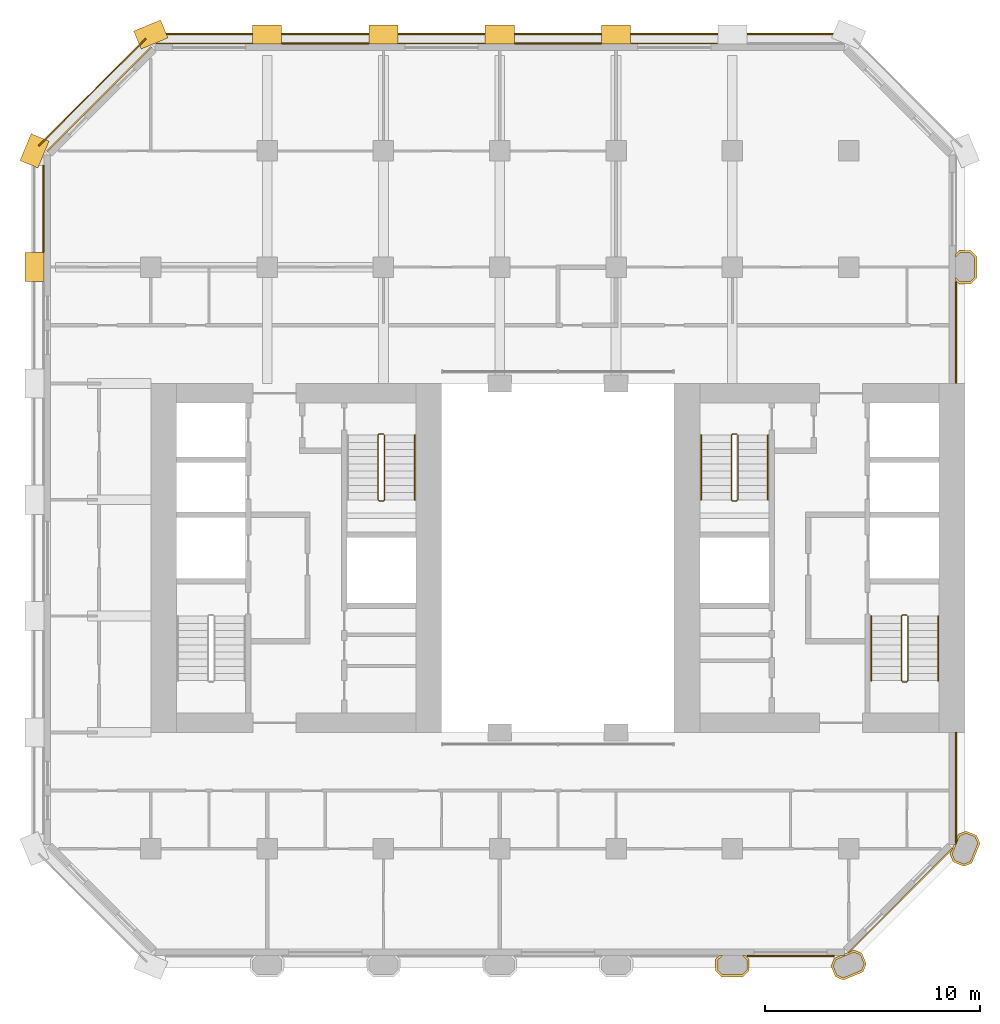
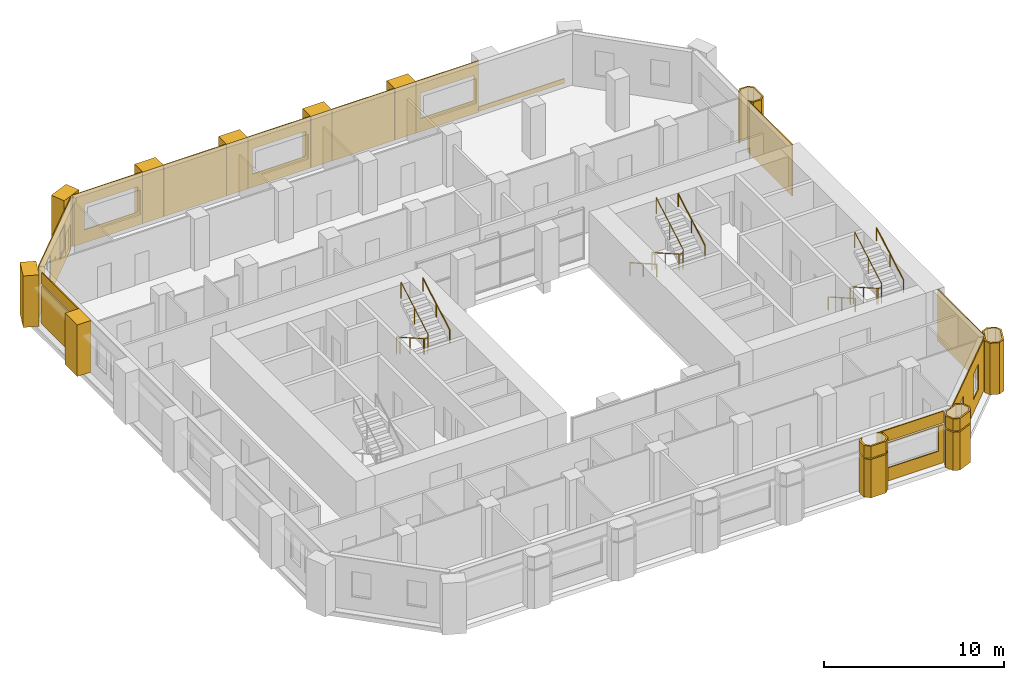
# One storey, part 12 of 13: 28 coverings, 8 railings.
"""IFC4 building model written with IfcOpenShell, lengths in metres."""

from ifc_helpers import new_model, si_unit, direction, frame, frame_2d, origin, origin_2d, place, context, subcontext, project, spatial, polyline, rectangle, circle, outline, extrude, material, layer, layer_set, type_object, element, save


model = new_model("IFC4")

# Units and contexts
model_context = context("Model", 3, precision=1e-05, world=origin(), true_north=direction((0.0, 1.0)))
body_context = subcontext(model_context, "Body", "Model", "MODEL_VIEW")
ifc_project = project(units=[si_unit("LENGTHUNIT", "METRE"), si_unit("AREAUNIT", "SQUARE_METRE"), si_unit("VOLUMEUNIT", "CUBIC_METRE"), si_unit("PLANEANGLEUNIT", "RADIAN"), si_unit("MASSUNIT", "GRAM", prefix="KILO")], contexts=[model_context])

# Site, building, storey
site_placement = place(None, origin())
site = spatial("IfcSite", under=ifc_project, at=site_placement, CompositionType="ELEMENT")
building_placement = place(site_placement, origin())
building = spatial("IfcBuilding", under=site, at=building_placement, Name="Tabaq Tower and Sports Hall", CompositionType="ELEMENT")
storey_placement = place(building_placement, frame((0.0, 0.0, 114.39990234375)))
storey = spatial("IfcBuildingStorey", under=building, at=storey_placement, Name="L27", CompositionType="ELEMENT", Elevation=114.39990234375)

# Coverings
ifc_material_1 = material(Name="Precast concrete C60/75", Category="concrete")
ifc_layer_1 = layer(ifc_material_1, 0.10009765625)
ifc_layer_set_1 = layer_set([ifc_layer_1], Name="Column cladding 100")
covering_type_1 = type_object("IfcCoveringType", Name="Column cladding 100", PredefinedType="CLADDING", material=ifc_layer_set_1)
covering_1_placement = place(storey_placement, origin())
element("IfcCovering", 1, at=covering_1_placement, inside=storey, type_object=covering_type_1, Name="Column cladding L27 PC-7B-O3", PredefinedType="CLADDING", context=body_context, shape_type="SweptSolid", body=[
    extrude(outline(polyline([(31.625244140625, 5.666259765625), (31.80859375, 5.849609375), (31.94921875, 5.849609375), (31.724609375, 5.625244140625), (31.724609375, 5.1748046875), (31.949951171875, 4.94970703125), (32.85009765625, 4.94970703125), (33.0751953125, 5.1748046875), (33.0751953125, 5.625244140625), (32.850830078125, 5.849609375), (32.9912109375, 5.849609375), (33.1748046875, 5.666259765625), (33.1748046875, 5.1337890625), (32.891357421875, 4.850341796875), (31.90869140625, 4.850341796875), (31.625244140625, 5.1337890625), (31.625244140625, 5.666259765625)])), origin(), (0.0, 0.0, 1.0), 2.60009765625),
])
covering_2_placement = place(storey_placement, frame((0.0, 0.0, 2.7001953125)))
element("IfcCovering", 2, at=covering_2_placement, inside=storey, type_object=covering_type_1, Name="Column cladding L27 PC-7B-O3 2", PredefinedType="CLADDING", context=body_context, shape_type="SweptSolid", body=[
    extrude(outline(polyline([(31.625244140625, 5.666259765625), (31.80859375, 5.849609375), (31.94921875, 5.849609375), (31.724609375, 5.625244140625), (31.724609375, 5.1748046875), (31.949951171875, 4.94970703125), (32.85009765625, 4.94970703125), (33.0751953125, 5.1748046875), (33.0751953125, 5.625244140625), (32.850830078125, 5.849609375), (32.9912109375, 5.849609375), (33.1748046875, 5.666259765625), (33.1748046875, 5.1337890625), (32.891357421875, 4.850341796875), (31.90869140625, 4.850341796875), (31.625244140625, 5.1337890625), (31.625244140625, 5.666259765625)])), origin(), (0.0, 0.0, 1.0), 0.7998046875),
])
covering_3_placement = place(storey_placement, origin())
element("IfcCovering", 3, at=covering_3_placement, inside=storey, type_object=covering_type_1, Name="Column cladding L27 PC-8B-O3", PredefinedType="CLADDING", context=body_context, shape_type="SweptSolid", body=[
    extrude(outline(polyline([(36.982421875, 5.349609375), (37.1357421875, 5.7197265625), (37.44921875, 5.849609375), (37.614013671875, 5.849609375), (37.614013671875, 5.91796875), (37.767578125, 5.9814453125), (37.799072265625, 5.9501953125), (37.875, 6.026123046875), (38.04345703125, 6.095947265625), (38.413818359375, 5.9423828125), (38.61767578125, 5.450439453125), (38.46435546875, 5.080078125), (37.556396484375, 4.7041015625), (37.186279296875, 4.857421875), (36.982421875, 5.349609375)]), holes=[polyline([(38.510009765625, 5.450439453125), (38.337646484375, 5.866455078125), (38.04345703125, 5.98828125), (37.2119140625, 5.643798828125), (37.08984375, 5.349609375), (37.26220703125, 4.93359375), (37.556396484375, 4.811767578125), (38.38818359375, 5.15625), (38.510009765625, 5.450439453125)])]), origin(), (0.0, 0.0, 1.0), 2.60009765625),
])
covering_4_placement = place(storey_placement, frame((0.0, 0.0, 2.7001953125)))
element("IfcCovering", 4, at=covering_4_placement, inside=storey, type_object=covering_type_1, Name="Column cladding L27 PC-8B-O3 2", PredefinedType="CLADDING", context=body_context, shape_type="SweptSolid", body=[
    extrude(outline(polyline([(36.982421875, 5.349609375), (37.1357421875, 5.7197265625), (37.44921875, 5.849609375), (37.614013671875, 5.849609375), (37.614013671875, 5.91796875), (37.767578125, 5.9814453125), (37.799072265625, 5.9501953125), (37.875, 6.026123046875), (38.04345703125, 6.095947265625), (38.413818359375, 5.9423828125), (38.61767578125, 5.450439453125), (38.46435546875, 5.080078125), (37.556396484375, 4.7041015625), (37.186279296875, 4.857421875), (36.982421875, 5.349609375)]), holes=[polyline([(38.510009765625, 5.450439453125), (38.337646484375, 5.866455078125), (38.04345703125, 5.98828125), (37.2119140625, 5.643798828125), (37.08984375, 5.349609375), (37.26220703125, 4.93359375), (37.556396484375, 4.811767578125), (38.38818359375, 5.15625), (38.510009765625, 5.450439453125)])]), origin(), (0.0, 0.0, 1.0), 0.7998046875),
])
covering_5_placement = place(storey_placement, origin())
element("IfcCovering", 5, at=covering_5_placement, inside=storey, type_object=covering_type_1, Name="Column cladding L27 PC-9C-O3", PredefinedType="CLADDING", context=body_context, shape_type="SweptSolid", body=[
    extrude(outline(polyline([(42.657470703125, 10.186279296875), (42.504150390625, 10.556396484375), (42.573974609375, 10.72509765625), (42.64990234375, 10.801025390625), (42.618408203125, 10.83251953125), (42.68212890625, 10.986083984375), (42.750244140625, 10.986083984375), (42.750244140625, 11.04296875), (42.810302734375, 11.04296875), (42.810302734375, 11.295654296875), (42.880126953125, 11.46435546875), (43.25048828125, 11.61767578125), (43.742431640625, 11.413818359375), (43.895751953125, 11.04345703125), (43.519775390625, 10.1357421875), (43.149658203125, 9.982421875), (42.657470703125, 10.186279296875)]), holes=[polyline([(43.66650390625, 11.337646484375), (43.25048828125, 11.510009765625), (42.956298828125, 11.38818359375), (42.61181640625, 10.556396484375), (42.733642578125, 10.26220703125), (43.149658203125, 10.08984375), (43.44384765625, 10.2119140625), (43.788330078125, 11.04345703125), (43.66650390625, 11.337646484375)])]), origin(), (0.0, 0.0, 1.0), 3.5),
])
covering_6_placement = place(storey_placement, origin())
element("IfcCovering", 6, at=covering_6_placement, inside=storey, type_object=covering_type_1, Name="Column cladding L27 PC-9H-O3", PredefinedType="CLADDING", context=body_context, shape_type="SweptSolid", body=[
    extrude(outline(polyline([(42.93359375, 37.025390625), (42.750244140625, 37.208740234375), (42.750244140625, 37.349365234375), (42.974853515625, 37.124755859375), (43.425048828125, 37.124755859375), (43.650390625, 37.349853515625), (43.650390625, 38.250244140625), (43.425048828125, 38.475341796875), (42.974853515625, 38.475341796875), (42.750244140625, 38.250732421875), (42.750244140625, 38.391357421875), (42.93359375, 38.57470703125), (43.46630859375, 38.57470703125), (43.749755859375, 38.291259765625), (43.749755859375, 37.30859375), (43.46630859375, 37.025390625), (42.93359375, 37.025390625)])), origin(), (0.0, 0.0, 1.0), 3.5),
])
ifc_material_2 = material(Name="Precast concrete C60/75", Category="concrete")
ifc_layer_2 = layer(ifc_material_2, 0.06005859375)
ifc_layer_set_2 = layer_set([ifc_layer_2], Name="Edge beam cladding 60")
covering_type_2 = type_object("IfcCoveringType", Name="Edge beam cladding 60", PredefinedType="CLADDING", material=ifc_layer_set_2)
covering_7_placement = place(storey_placement, frame((37.50146484375, 48.6298828125, -0.2998046875), z_axis=(0.0, 0.0, 1.0), x_axis=(-1.0, 0.0, 0.0)))
element("IfcCovering", 7, at=covering_7_placement, inside=storey, type_object=covering_type_2, Name="Edge beam cladding L27 2", PredefinedType="CLADDING", context=body_context, shape_type="SweptSolid", body=[
    extrude(rectangle(XDim=31.802978515625, YDim=0.06005859375, at=frame_2d((15.9013671875, 0.0))), origin(), (0.0, 0.0, 1.0), 0.2998046875),
])
covering_8_placement = place(storey_placement, frame((5.167724609375, 48.41015625, -0.2998046875), z_axis=(0.0, 0.0, 1.0), x_axis=(-0.707106781187, -0.707106781187, 0.0)))
element("IfcCovering", 8, at=covering_8_placement, inside=storey, type_object=covering_type_2, Name="Edge beam cladding L27 3", PredefinedType="CLADDING", context=body_context, shape_type="SweptSolid", body=[
    extrude(rectangle(XDim=7.03955078125, YDim=0.06005859375, at=frame_2d((3.519775390625, 0.0))), origin(), (0.0, 0.0, 1.0), 0.2998046875),
])
ifc_material_3 = material(Name="White precast concrete C60/75", Category="concrete")
covering_type_3 = type_object("IfcCoveringType", Name="Pier cladding hung 1350x900", PredefinedType="CLADDING", material=ifc_material_3)
for number, where, z_axis, x_axis, name in (
    (9, (0.0, 38.47509765625, 0.0), (0.0, 0.0, 1.0), (0.0, -1.0, 0.0), "Hung pier cladding 0/7"),
    (10, (0.25830078125, 43.82373046875, 0.0), (0.0, 0.0, 1.0), (-0.382649923473, -0.923893411637, 0.0), "Hung pier cladding 0/8"),
    (11, (6.023681640625, 48.8583984375, 0.0), (0.0, 0.0, 1.0), (-0.923893411637, -0.382649923473, 0.0), "Hung pier cladding 1/9"),
    (12, (11.47509765625, 48.60009765625, 0.0), (0.0, 0.0, 1.0), (-1.0, 0.0, 0.0), "Hung pier cladding 2/9"),
    (13, (16.875, 48.60009765625, 0.0), (0.0, 0.0, 1.0), (-1.0, 0.0, 0.0), "Hung pier cladding 3/9"),
):
    element("IfcCovering", number, at=place(storey_placement, frame(where, z_axis=z_axis, x_axis=x_axis)), inside=storey, type_object=covering_type_3, Name=name, PredefinedType="CLADDING", context=body_context, shape_type="SweptSolid", body=[
        extrude(rectangle(XDim=1.35009765625, YDim=0.89990234375, at=frame_2d((0.675048828125, 0.0))), origin(), (0.0, 0.0, 1.0), 3.5),
    ])
covering_9_placement = place(storey_placement, frame((22.27490234375, 48.60009765625, 0.0), z_axis=(0.0, 0.0, 1.0), x_axis=(-1.0, 0.0, 0.0)))
element("IfcCovering", 14, at=covering_9_placement, inside=storey, type_object=covering_type_3, Name="Hung pier cladding 4/9", PredefinedType="CLADDING", context=body_context, shape_type="SweptSolid", body=[
    extrude(rectangle(XDim=1.349853515625, YDim=0.89990234375, at=frame_2d((0.6748046875, 0.0))), origin(), (0.0, 0.0, 1.0), 3.5),
])
covering_10_placement = place(storey_placement, frame((27.675048828125, 48.60009765625, 0.0), z_axis=(0.0, 0.0, 1.0), x_axis=(-1.0, 0.0, 0.0)))
element("IfcCovering", 15, at=covering_10_placement, inside=storey, type_object=covering_type_3, Name="Hung pier cladding 5/9", PredefinedType="CLADDING", context=body_context, shape_type="SweptSolid", body=[
    extrude(rectangle(XDim=1.35009765625, YDim=0.89990234375, at=frame_2d((0.675048828125, 0.0))), origin(), (0.0, 0.0, 1.0), 3.5),
])

# Railings
ifc_material_4 = material(Name="Stainless steel", Category="steel")
railing_type_1 = type_object("IfcRailingType", Name="Stair guard", PredefinedType="GUARDRAIL", material=ifc_material_4)
railing_1_placement = place(storey_placement, frame((16.199951171875, 30.050048828125, 0.0)))
element("IfcRailing", 16, at=railing_1_placement, inside=storey, type_object=railing_type_1, Name="L27 ST2 stair guard 1", PredefinedType="GUARDRAIL", context=body_context, shape_type="SweptSolid", body=[
    extrude(circle(Radius=0.02392578125, at=origin_2d()), frame((0.0, 0.0, 1.076171875), z_axis=(-1.0, 0.0, 0.0), x_axis=(0.0, -1.0, 0.0)), (0.0, 0.0, 1.0), 0.199951171875),
    extrude(circle(Radius=0.02392578125, at=origin_2d()), frame((-0.199951171875, 0.0, 1.076171875), z_axis=(-0.246631811833, -0.246631811833, 0.937200884967), x_axis=(0.707106781187, -0.707106781187, 0.0)), (0.0, 0.0, 1.0), 0.202880859375),
    extrude(circle(Radius=0.02392578125, at=origin_2d()), frame((-0.25, -0.050048828125, 1.26611328125), z_axis=(0.0, -0.868782136927, 0.495194505781), x_axis=(1.0, 0.0, 0.0)), (0.0, 0.0, 1.0), 3.453125),
    extrude(circle(Radius=0.02392578125, at=origin_2d()), frame((-0.25, -3.050048828125, 2.97607421875), z_axis=(0.707106781187, -0.707106781187, 0.0), x_axis=(0.707106781187, 0.707106781187, 0.0)), (0.0, 0.0, 1.0), 0.07080078125),
    extrude(circle(Radius=0.02392578125, at=origin_2d()), frame((-0.199951171875, -3.10009765625, 2.97607421875), z_axis=(1.0, 0.0, 0.0), x_axis=(0.0, 1.0, 0.0)), (0.0, 0.0, 1.0), 0.199951171875),
    extrude(circle(Radius=0.02392578125, at=origin_2d()), frame((0.0, -3.10009765625, 2.97607421875), z_axis=(0.246910188598, 0.246910188598, 0.937054276727), x_axis=(-0.707106781187, 0.707106781187, 0.0)), (0.0, 0.0, 1.0), 0.20263671875),
    extrude(circle(Radius=0.02392578125, at=origin_2d()), frame((0.050048828125, -3.050048828125, 3.166015625), z_axis=(0.0, 0.868782136927, 0.495194505781), x_axis=(-1.0, 0.0, 0.0)), (0.0, 0.0, 1.0), 3.453125),
    extrude(circle(Radius=0.02099609375, at=origin_2d()), origin(), (0.0, 0.0, 1.0), 1.052001953125),
    extrude(circle(Radius=0.02099609375, at=origin_2d()), frame((-0.199951171875, 0.0, 0.0)), (0.0, 0.0, 1.0), 1.052001953125),
    extrude(circle(Radius=0.02099609375, at=origin_2d()), frame((-0.25, -0.050048828125, 0.190185546875)), (0.0, 0.0, 1.0), 1.052001953125),
    extrude(circle(Radius=0.02099609375, at=origin_2d()), frame((-0.25, -1.550048828125, 1.045166015625)), (0.0, 0.0, 1.0), 1.052001953125),
    extrude(circle(Radius=0.02099609375, at=origin_2d()), frame((-0.25, -3.050048828125, 1.900146484375)), (0.0, 0.0, 1.0), 1.052001953125),
    extrude(circle(Radius=0.02099609375, at=origin_2d()), frame((-0.199951171875, -3.10009765625, 1.900146484375)), (0.0, 0.0, 1.0), 1.052001953125),
    extrude(circle(Radius=0.02099609375, at=origin_2d()), frame((0.0, -3.10009765625, 1.900146484375)), (0.0, 0.0, 1.0), 1.052001953125),
    extrude(circle(Radius=0.02099609375, at=origin_2d()), frame((0.050048828125, -3.050048828125, 2.090087890625)), (0.0, 0.0, 1.0), 1.052001953125),
    extrude(circle(Radius=0.02099609375, at=origin_2d()), frame((0.050048828125, -1.550048828125, 2.945068359375)), (0.0, 0.0, 1.0), 1.052001953125),
    extrude(circle(Radius=0.02099609375, at=origin_2d()), frame((0.050048828125, -0.050048828125, 3.800048828125)), (0.0, 0.0, 1.0), 1.052001953125),
])
railing_2_placement = place(storey_placement, frame((40.5, 21.64990234375, 0.0)))
element("IfcRailing", 17, at=railing_2_placement, inside=storey, type_object=railing_type_1, Name="L27 ST3 stair guard 1", PredefinedType="GUARDRAIL", context=body_context, shape_type="SweptSolid", body=[
    extrude(circle(Radius=0.02392578125, at=origin_2d()), frame((0.0, 0.0, 1.076171875), z_axis=(-1.0, 0.0, 0.0), x_axis=(0.0, -1.0, 0.0)), (0.0, 0.0, 1.0), 0.199951171875),
    extrude(circle(Radius=0.02392578125, at=origin_2d()), frame((-0.199951171875, 0.0, 1.076171875), z_axis=(-0.246704845944, -0.245501407671, 0.937478414588), x_axis=(0.705375805398, -0.708833529934, 0.0)), (0.0, 0.0, 1.0), 0.202880859375),
    extrude(circle(Radius=0.02392578125, at=origin_2d()), frame((-0.25, -0.0498046875, 1.26611328125), z_axis=(0.0, -0.868782136927, 0.495194505781), x_axis=(1.0, 0.0, 0.0)), (0.0, 0.0, 1.0), 3.453125),
    extrude(circle(Radius=0.02392578125, at=origin_2d()), frame((-0.25, -3.0498046875, 2.97607421875), z_axis=(0.707106781187, -0.707106781187, 0.0), x_axis=(0.707106781187, 0.707106781187, 0.0)), (0.0, 0.0, 1.0), 0.07080078125),
    extrude(circle(Radius=0.02392578125, at=origin_2d()), frame((-0.199951171875, -3.099853515625, 2.97607421875), z_axis=(1.0, 0.0, 0.0), x_axis=(0.0, 1.0, 0.0)), (0.0, 0.0, 1.0), 0.199951171875),
    extrude(circle(Radius=0.02392578125, at=origin_2d()), frame((0.0, -3.099853515625, 2.97607421875), z_axis=(0.246910188598, 0.246910188598, 0.937054276727), x_axis=(-0.707106781187, 0.707106781187, 0.0)), (0.0, 0.0, 1.0), 0.20263671875),
    extrude(circle(Radius=0.02392578125, at=origin_2d()), frame((0.050048828125, -3.0498046875, 3.166015625), z_axis=(0.0, 0.868782136927, 0.495194505781), x_axis=(-1.0, 0.0, 0.0)), (0.0, 0.0, 1.0), 3.453125),
    extrude(circle(Radius=0.02099609375, at=origin_2d()), origin(), (0.0, 0.0, 1.0), 1.052001953125),
    extrude(circle(Radius=0.02099609375, at=origin_2d()), frame((-0.199951171875, 0.0, 0.0)), (0.0, 0.0, 1.0), 1.052001953125),
    extrude(circle(Radius=0.02099609375, at=origin_2d()), frame((-0.25, -0.0498046875, 0.190185546875)), (0.0, 0.0, 1.0), 1.052001953125),
    extrude(circle(Radius=0.02099609375, at=origin_2d()), frame((-0.25, -1.5498046875, 1.045166015625)), (0.0, 0.0, 1.0), 1.052001953125),
    extrude(circle(Radius=0.02099609375, at=origin_2d()), frame((-0.25, -3.0498046875, 1.900146484375)), (0.0, 0.0, 1.0), 1.052001953125),
    extrude(circle(Radius=0.02099609375, at=origin_2d()), frame((-0.199951171875, -3.099853515625, 1.900146484375)), (0.0, 0.0, 1.0), 1.052001953125),
    extrude(circle(Radius=0.02099609375, at=origin_2d()), frame((0.0, -3.099853515625, 1.900146484375)), (0.0, 0.0, 1.0), 1.052001953125),
    extrude(circle(Radius=0.02099609375, at=origin_2d()), frame((0.050048828125, -3.0498046875, 2.090087890625)), (0.0, 0.0, 1.0), 1.052001953125),
    extrude(circle(Radius=0.02099609375, at=origin_2d()), frame((0.050048828125, -1.5498046875, 2.945068359375)), (0.0, 0.0, 1.0), 1.052001953125),
    extrude(circle(Radius=0.02099609375, at=origin_2d()), frame((0.050048828125, -0.0498046875, 3.800048828125)), (0.0, 0.0, 1.0), 1.052001953125),
])
railing_3_placement = place(storey_placement, frame((32.60009765625, 30.050048828125, 0.0)))
element("IfcRailing", 18, at=railing_3_placement, inside=storey, type_object=railing_type_1, Name="L27 ST4 stair guard 1", PredefinedType="GUARDRAIL", context=body_context, shape_type="SweptSolid", body=[
    extrude(circle(Radius=0.02392578125, at=origin_2d()), frame((0.0, 0.0, 1.076171875), z_axis=(-1.0, 0.0, 0.0), x_axis=(0.0, -1.0, 0.0)), (0.0, 0.0, 1.0), 0.2001953125),
    extrude(circle(Radius=0.02392578125, at=origin_2d()), frame((-0.2001953125, 0.0, 1.076171875), z_axis=(-0.245501407671, -0.246704845944, 0.937478414588), x_axis=(0.708833529934, -0.705375805398, 0.0)), (0.0, 0.0, 1.0), 0.202880859375),
    extrude(circle(Radius=0.02392578125, at=origin_2d()), frame((-0.25, -0.050048828125, 1.26611328125), z_axis=(0.0, -0.868782136927, 0.495194505781), x_axis=(1.0, 0.0, 0.0)), (0.0, 0.0, 1.0), 3.453125),
    extrude(circle(Radius=0.02392578125, at=origin_2d()), frame((-0.25, -3.050048828125, 2.97607421875), z_axis=(0.705375805398, -0.708833529934, 0.0), x_axis=(0.708833529934, 0.705375805398, 0.0)), (0.0, 0.0, 1.0), 0.070556640625),
    extrude(circle(Radius=0.02392578125, at=origin_2d()), frame((-0.2001953125, -3.10009765625, 2.97607421875), z_axis=(1.0, 0.0, 0.0), x_axis=(0.0, 1.0, 0.0)), (0.0, 0.0, 1.0), 0.2001953125),
    extrude(circle(Radius=0.02392578125, at=origin_2d()), frame((0.0, -3.10009765625, 2.97607421875), z_axis=(0.245778672949, 0.246983470365, 0.937332389972), x_axis=(-0.708833529934, 0.705375805398, 0.0)), (0.0, 0.0, 1.0), 0.20263671875),
    extrude(circle(Radius=0.02392578125, at=origin_2d()), frame((0.0498046875, -3.050048828125, 3.166015625), z_axis=(0.0, 0.868782136927, 0.495194505781), x_axis=(-1.0, 0.0, 0.0)), (0.0, 0.0, 1.0), 3.453125),
    extrude(circle(Radius=0.02099609375, at=origin_2d()), origin(), (0.0, 0.0, 1.0), 1.052001953125),
    extrude(circle(Radius=0.02099609375, at=origin_2d()), frame((-0.2001953125, 0.0, 0.0)), (0.0, 0.0, 1.0), 1.052001953125),
    extrude(circle(Radius=0.02099609375, at=origin_2d()), frame((-0.25, -0.050048828125, 0.190185546875)), (0.0, 0.0, 1.0), 1.052001953125),
    extrude(circle(Radius=0.02099609375, at=origin_2d()), frame((-0.25, -1.550048828125, 1.045166015625)), (0.0, 0.0, 1.0), 1.052001953125),
    extrude(circle(Radius=0.02099609375, at=origin_2d()), frame((-0.25, -3.050048828125, 1.900146484375)), (0.0, 0.0, 1.0), 1.052001953125),
    extrude(circle(Radius=0.02099609375, at=origin_2d()), frame((-0.2001953125, -3.10009765625, 1.900146484375)), (0.0, 0.0, 1.0), 1.052001953125),
    extrude(circle(Radius=0.02099609375, at=origin_2d()), frame((0.0, -3.10009765625, 1.900146484375)), (0.0, 0.0, 1.0), 1.052001953125),
    extrude(circle(Radius=0.02099609375, at=origin_2d()), frame((0.0498046875, -3.050048828125, 2.090087890625)), (0.0, 0.0, 1.0), 1.052001953125),
    extrude(circle(Radius=0.02099609375, at=origin_2d()), frame((0.0498046875, -1.550048828125, 2.945068359375)), (0.0, 0.0, 1.0), 1.052001953125),
    extrude(circle(Radius=0.02099609375, at=origin_2d()), frame((0.0498046875, -0.050048828125, 3.800048828125)), (0.0, 0.0, 1.0), 1.052001953125),
])
ifc_material_5 = material(Name="Stainless steel", Category="steel")
railing_type_2 = type_object("IfcRailingType", Name="Stair handrail", PredefinedType="HANDRAIL", material=ifc_material_5)
railing_4_placement = place(storey_placement, frame((17.64990234375, 27.0, 2.090087890625)))
element("IfcRailing", 19, at=railing_4_placement, inside=storey, type_object=railing_type_2, Name="L27 ST2 stair handrail 2", PredefinedType="HANDRAIL", context=body_context, shape_type="SweptSolid", body=[
    extrude(circle(Radius=0.02392578125, at=origin_2d()), frame((0.0, 0.0, 0.8759765625), z_axis=(0.0, 0.868782136927, 0.495194505781), x_axis=(-1.0, 0.0, 0.0)), (0.0, 0.0, 1.0), 3.453125),
    extrude(circle(Radius=0.02099609375, at=origin_2d()), origin(), (0.0, 0.0, 1.0), 0.851806640625),
    extrude(circle(Radius=0.02099609375, at=origin_2d()), frame((0.0, 1.5, 0.85498046875)), (0.0, 0.0, 1.0), 0.851806640625),
    extrude(circle(Radius=0.02099609375, at=origin_2d()), frame((0.0, 3.0, 1.7099609375)), (0.0, 0.0, 1.0), 0.851806640625),
])
railing_5_placement = place(storey_placement, frame((38.85009765625, 21.60009765625, 0.190185546875)))
element("IfcRailing", 20, at=railing_5_placement, inside=storey, type_object=railing_type_2, Name="L27 ST3 stair handrail 1", PredefinedType="HANDRAIL", context=body_context, shape_type="SweptSolid", body=[
    extrude(circle(Radius=0.02392578125, at=origin_2d()), frame((0.0, 0.0, 0.8759765625), z_axis=(0.0, -0.868782136927, 0.495194505781), x_axis=(1.0, 0.0, 0.0)), (0.0, 0.0, 1.0), 3.453125),
    extrude(circle(Radius=0.02099609375, at=origin_2d()), origin(), (0.0, 0.0, 1.0), 0.851806640625),
    extrude(circle(Radius=0.02099609375, at=origin_2d()), frame((0.0, -1.5, 0.85498046875)), (0.0, 0.0, 1.0), 0.851806640625),
    extrude(circle(Radius=0.02099609375, at=origin_2d()), frame((0.0, -3.0, 1.7099609375)), (0.0, 0.0, 1.0), 0.851806640625),
])
railing_6_placement = place(storey_placement, frame((41.949951171875, 18.60009765625, 2.090087890625)))
element("IfcRailing", 21, at=railing_6_placement, inside=storey, type_object=railing_type_2, Name="L27 ST3 stair handrail 2", PredefinedType="HANDRAIL", context=body_context, shape_type="SweptSolid", body=[
    extrude(circle(Radius=0.02392578125, at=origin_2d()), frame((0.0, 0.0, 0.8759765625), z_axis=(0.0, 0.868782136927, 0.495194505781), x_axis=(-1.0, 0.0, 0.0)), (0.0, 0.0, 1.0), 3.453125),
    extrude(circle(Radius=0.02099609375, at=origin_2d()), origin(), (0.0, 0.0, 1.0), 0.851806640625),
    extrude(circle(Radius=0.02099609375, at=origin_2d()), frame((0.0, 1.5, 0.85498046875)), (0.0, 0.0, 1.0), 0.851806640625),
    extrude(circle(Radius=0.02099609375, at=origin_2d()), frame((0.0, 3.0, 1.7099609375)), (0.0, 0.0, 1.0), 0.851806640625),
])
railing_7_placement = place(storey_placement, frame((30.949951171875, 30.0, 0.190185546875)))
element("IfcRailing", 22, at=railing_7_placement, inside=storey, type_object=railing_type_2, Name="L27 ST4 stair handrail 1", PredefinedType="HANDRAIL", context=body_context, shape_type="SweptSolid", body=[
    extrude(circle(Radius=0.02392578125, at=origin_2d()), frame((0.0, 0.0, 0.8759765625), z_axis=(0.0, -0.868782136927, 0.495194505781), x_axis=(1.0, 0.0, 0.0)), (0.0, 0.0, 1.0), 3.453125),
    extrude(circle(Radius=0.02099609375, at=origin_2d()), origin(), (0.0, 0.0, 1.0), 0.851806640625),
    extrude(circle(Radius=0.02099609375, at=origin_2d()), frame((0.0, -1.5, 0.85498046875)), (0.0, 0.0, 1.0), 0.851806640625),
    extrude(circle(Radius=0.02099609375, at=origin_2d()), frame((0.0, -3.0, 1.7099609375)), (0.0, 0.0, 1.0), 0.851806640625),
])
railing_8_placement = place(storey_placement, frame((34.050048828125, 27.0, 2.090087890625)))
element("IfcRailing", 23, at=railing_8_placement, inside=storey, type_object=railing_type_2, Name="L27 ST4 stair handrail 2", PredefinedType="HANDRAIL", context=body_context, shape_type="SweptSolid", body=[
    extrude(circle(Radius=0.02392578125, at=origin_2d()), frame((0.0, 0.0, 0.8759765625), z_axis=(0.0, 0.868782136927, 0.495194505781), x_axis=(-1.0, 0.0, 0.0)), (0.0, 0.0, 1.0), 3.453125),
    extrude(circle(Radius=0.02099609375, at=origin_2d()), origin(), (0.0, 0.0, 1.0), 0.851806640625),
    extrude(circle(Radius=0.02099609375, at=origin_2d()), frame((0.0, 1.5, 0.85498046875)), (0.0, 0.0, 1.0), 0.851806640625),
    extrude(circle(Radius=0.02099609375, at=origin_2d()), frame((0.0, 3.0, 1.7099609375)), (0.0, 0.0, 1.0), 0.851806640625),
])

# Coverings
ifc_material_6 = material(Name="Precast concrete C60/75", Category="concrete")
ifc_layer_3 = layer(ifc_material_6, 0.06005859375)
ifc_layer_set_3 = layer_set([ifc_layer_3], Name="White precast cladding panel 60 C60/75")
covering_type_4 = type_object("IfcCoveringType", Name="White precast cladding panel 60 C60/75", PredefinedType="CLADDING", material=ifc_layer_set_3)
covering_11_placement = place(storey_placement, frame((33.0849609375, 5.820068359375, 0.0), z_axis=(0.0, 0.0, 1.0), x_axis=(1.0, 0.0, 0.0)))
element("IfcCovering", 24, at=covering_11_placement, inside=storey, type_object=covering_type_4, Name="White precast cladding panel L27 wall00 11", PredefinedType="CLADDING", context=body_context, shape_type="SweptSolid", body=[
    extrude(outline(polyline([(0.0, 0.0), (4.050048828125, 0.0), (4.050048828125, 2.590087890625), (0.0, 2.590087890625), (0.0, 0.0)]), holes=[polyline([(3.72509765625, 0.89013671875), (0.304931640625, 0.89013671875), (0.304931640625, 2.56005859375), (3.72509765625, 2.56005859375), (3.72509765625, 0.89013671875)])]), frame((0.0, 0.030029296875, 0.0), z_axis=(0.0, -1.0, 0.0), x_axis=(1.0, 0.0, 0.0)), (0.0, 0.0, 1.0), 0.06005859375),
])
covering_12_placement = place(storey_placement, frame((33.0849609375, 5.820068359375, 2.710205078125), z_axis=(0.0, 0.0, 1.0), x_axis=(1.0, 0.0, 0.0)))
element("IfcCovering", 25, at=covering_12_placement, inside=storey, type_object=covering_type_4, Name="White precast cladding panel L27 wall00 12", PredefinedType="CLADDING", context=body_context, shape_type="SweptSolid", body=[
    extrude(rectangle(XDim=4.050048828125, YDim=0.06005859375, at=frame_2d((2.02490234375, 0.0))), origin(), (0.0, 0.0, 1.0), 0.789794921875),
])
covering_13_placement = place(storey_placement, frame((37.77783203125, 5.9716796875, 0.0), z_axis=(0.0, 0.0, 1.0), x_axis=(0.707088985397, 0.707124576528, 0.0)))
element("IfcCovering", 26, at=covering_13_placement, inside=storey, type_object=covering_type_4, Name="White precast cladding panel L27 wall01", PredefinedType="CLADDING", context=body_context, shape_type="SweptSolid", body=[
    extrude(outline(polyline([(0.0, 0.0), (6.859619140625, 0.0), (6.859619140625, 3.5), (0.0, 3.5), (0.0, 0.0)]), holes=[polyline([(1.269775390625, 2.610107421875), (2.389892578125, 2.610107421875), (2.389892578125, 0.89013671875), (1.269775390625, 0.89013671875), (1.269775390625, 2.610107421875)]), polyline([(4.4697265625, 2.610107421875), (5.58984375, 2.610107421875), (5.58984375, 0.89013671875), (4.4697265625, 0.89013671875), (4.4697265625, 2.610107421875)])]), frame((0.0, 0.030029296875, 0.0), z_axis=(0.0, -1.0, 0.0), x_axis=(1.0, 0.0, 0.0)), (0.0, 0.0, 1.0), 0.06005859375),
])
covering_14_placement = place(storey_placement, frame((42.780029296875, 11.043212890625, 0.0), z_axis=(0.0, 0.0, 1.0), x_axis=(0.0, 1.0, 0.0)))
element("IfcCovering", 27, at=covering_14_placement, inside=storey, type_object=covering_type_4, Name="White precast cladding panel L27 wall02", PredefinedType="CLADDING", context=body_context, shape_type="SweptSolid", body=[
    extrude(rectangle(XDim=5.15673828125, YDim=0.06005859375, at=frame_2d((2.578369140625, 0.0))), origin(), (0.0, 0.0, 1.0), 3.5),
])
covering_15_placement = place(storey_placement, frame((42.780029296875, 32.39990234375, 0.0), z_axis=(0.0, 0.0, 1.0), x_axis=(0.0, 1.0, 0.0)))
element("IfcCovering", 28, at=covering_15_placement, inside=storey, type_object=covering_type_4, Name="White precast cladding panel L27 wall02-1", PredefinedType="CLADDING", context=body_context, shape_type="SweptSolid", body=[
    extrude(rectangle(XDim=4.715087890625, YDim=0.06005859375, at=frame_2d((2.357421875, 0.0))), origin(), (0.0, 0.0, 1.0), 3.5),
])
covering_16_placement = place(storey_placement, frame((31.715087890625, 48.179931640625, 0.0), z_axis=(0.0, 0.0, 1.0), x_axis=(-1.0, 0.0, 0.0)))
element("IfcCovering", 29, at=covering_16_placement, inside=storey, type_object=covering_type_4, Name="White precast cladding panel L27 wall04 2", PredefinedType="CLADDING", context=body_context, shape_type="SweptSolid", body=[
    extrude(outline(polyline([(0.0, 0.0), (4.030029296875, 0.0), (4.030029296875, 3.5), (0.0, 3.5), (0.0, 0.0)]), holes=[polyline([(0.304931640625, 0.89013671875), (0.304931640625, 2.610107421875), (3.72509765625, 2.610107421875), (3.72509765625, 0.89013671875), (0.304931640625, 0.89013671875)])]), frame((0.0, 0.030029296875, 0.0), z_axis=(0.0, -1.0, 0.0), x_axis=(1.0, 0.0, 0.0)), (0.0, 0.0, 1.0), 0.06005859375),
])
covering_17_placement = place(storey_placement, frame((26.31494140625, 48.179931640625, 0.0), z_axis=(0.0, 0.0, 1.0), x_axis=(-1.0, 0.0, 0.0)))
element("IfcCovering", 30, at=covering_17_placement, inside=storey, type_object=covering_type_4, Name="White precast cladding panel L27 wall04 3", PredefinedType="CLADDING", context=body_context, shape_type="SweptSolid", body=[
    extrude(rectangle(XDim=4.030029296875, YDim=0.06005859375, at=frame_2d((2.01513671875, 0.0))), origin(), (0.0, 0.0, 1.0), 3.5),
])
covering_18_placement = place(storey_placement, frame((20.9150390625, 48.179931640625, 0.0), z_axis=(0.0, 0.0, 1.0), x_axis=(-1.0, 0.0, 0.0)))
element("IfcCovering", 31, at=covering_18_placement, inside=storey, type_object=covering_type_4, Name="White precast cladding panel L27 wall04 4", PredefinedType="CLADDING", context=body_context, shape_type="SweptSolid", body=[
    extrude(outline(polyline([(0.0, 0.0), (4.030029296875, 0.0), (4.030029296875, 3.5), (0.0, 3.5), (0.0, 0.0)]), holes=[polyline([(0.304931640625, 0.89013671875), (0.304931640625, 2.610107421875), (3.72509765625, 2.610107421875), (3.72509765625, 0.89013671875), (0.304931640625, 0.89013671875)])]), frame((0.0, 0.030029296875, 0.0), z_axis=(0.0, -1.0, 0.0), x_axis=(1.0, 0.0, 0.0)), (0.0, 0.0, 1.0), 0.06005859375),
])
covering_19_placement = place(storey_placement, frame((15.514892578125, 48.179931640625, 0.0), z_axis=(0.0, 0.0, 1.0), x_axis=(-1.0, 0.0, 0.0)))
element("IfcCovering", 32, at=covering_19_placement, inside=storey, type_object=covering_type_4, Name="White precast cladding panel L27 wall04 5", PredefinedType="CLADDING", context=body_context, shape_type="SweptSolid", body=[
    extrude(rectangle(XDim=4.02978515625, YDim=0.06005859375, at=frame_2d((2.014892578125, 0.0))), origin(), (0.0, 0.0, 1.0), 3.5),
])
covering_20_placement = place(storey_placement, frame((10.114990234375, 48.179931640625, 0.0), z_axis=(0.0, 0.0, 1.0), x_axis=(-1.0, 0.0, 0.0)))
element("IfcCovering", 33, at=covering_20_placement, inside=storey, type_object=covering_type_4, Name="White precast cladding panel L27 wall04 6", PredefinedType="CLADDING", context=body_context, shape_type="SweptSolid", body=[
    extrude(outline(polyline([(0.0, 0.0), (4.471923828125, 0.0), (4.471923828125, 3.5), (0.0, 3.5), (0.0, 0.0)]), holes=[polyline([(0.304931640625, 0.89013671875), (0.304931640625, 2.610107421875), (3.72509765625, 2.610107421875), (3.72509765625, 0.89013671875), (0.304931640625, 0.89013671875)])]), frame((0.0, 0.030029296875, 0.0), z_axis=(0.0, -1.0, 0.0), x_axis=(1.0, 0.0, 0.0)), (0.0, 0.0, 1.0), 0.06005859375),
])
covering_21_placement = place(storey_placement, frame((5.42236328125, 48.0283203125, 0.0), z_axis=(0.0, 0.0, 1.0), x_axis=(-0.707106781187, -0.707106781187, 0.0)))
element("IfcCovering", 34, at=covering_21_placement, inside=storey, type_object=covering_type_4, Name="White precast cladding panel L27 wall05", PredefinedType="CLADDING", context=body_context, shape_type="SweptSolid", body=[
    extrude(outline(polyline([(0.0, 0.0), (6.85986328125, 0.0), (6.85986328125, 3.5), (0.0, 3.5), (0.0, 0.0)]), holes=[polyline([(1.269775390625, 2.610107421875), (2.389892578125, 2.610107421875), (2.389892578125, 0.89013671875), (1.269775390625, 0.89013671875), (1.269775390625, 2.610107421875)]), polyline([(4.4697265625, 2.610107421875), (5.58984375, 2.610107421875), (5.58984375, 0.89013671875), (4.4697265625, 0.89013671875), (4.4697265625, 2.610107421875)])]), frame((0.0, 0.030029296875, 0.0), z_axis=(0.0, -1.0, 0.0), x_axis=(1.0, 0.0, 0.0)), (0.0, 0.0, 1.0), 0.06005859375),
])
covering_22_placement = place(storey_placement, frame((0.419921875, 42.534912109375, 0.0), z_axis=(0.0, 0.0, 1.0), x_axis=(0.0, -1.0, 0.0)))
element("IfcCovering", 35, at=covering_22_placement, inside=storey, type_object=covering_type_4, Name="White precast cladding panel L27 wall06", PredefinedType="CLADDING", context=body_context, shape_type="SweptSolid", body=[
    extrude(rectangle(XDim=4.0498046875, YDim=0.06005859375, at=frame_2d((2.02490234375, 0.0))), origin(), (0.0, 0.0, 1.0), 2.590087890625),
])
covering_23_placement = place(storey_placement, frame((0.419921875, 42.534912109375, 2.710205078125), z_axis=(0.0, 0.0, 1.0), x_axis=(0.0, -1.0, 0.0)))
element("IfcCovering", 36, at=covering_23_placement, inside=storey, type_object=covering_type_4, Name="White precast cladding panel L27 wall06 2", PredefinedType="CLADDING", context=body_context, shape_type="SweptSolid", body=[
    extrude(rectangle(XDim=4.0498046875, YDim=0.06005859375, at=frame_2d((2.02490234375, 0.0))), origin(), (0.0, 0.0, 1.0), 0.789794921875),
])

save(model, "model.ifc")
